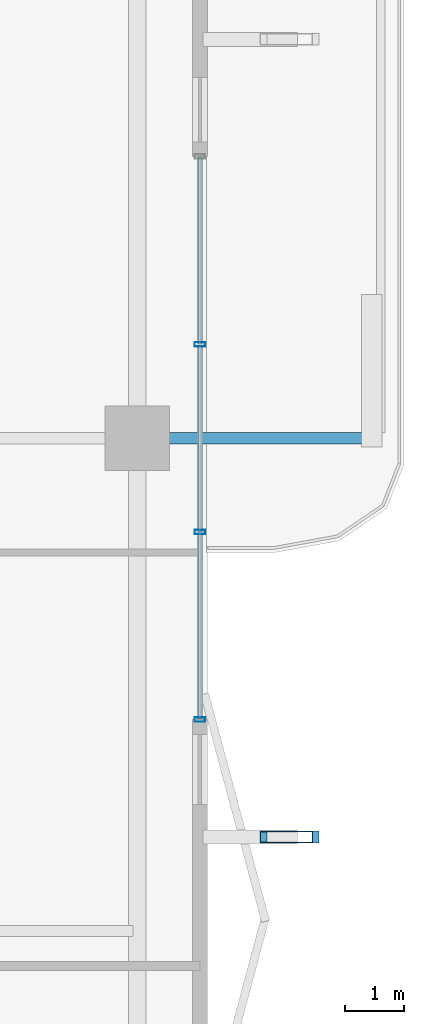
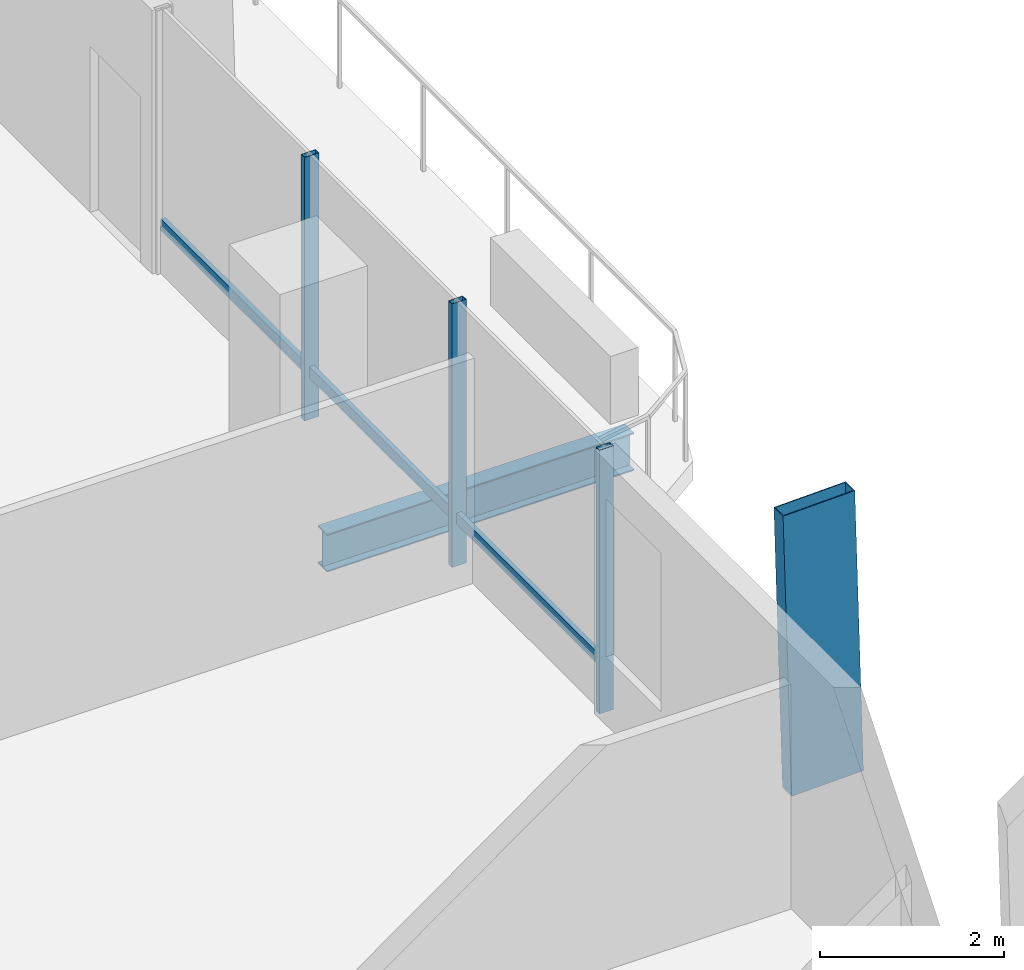
# One storey, part 10 of 25: 7 members, 1 beam, 1 element without a shape of its own.
"""IFC4 building model written with IfcOpenShell, lengths in metres."""

from ifc_helpers import new_model, si_unit, direction, frame, origin, origin_2d, place, context, subcontext, project, spatial, hollow_rectangle, i_section, extrude, material, layer, layer_set, material_profile, profile_set, type_object, element, aggregate, save


model = new_model("IFC4")

# Units and contexts
model_context = context("Model", 3, precision=1e-05, world=origin(), true_north=direction((0.0, 1.0)))
body_context = subcontext(model_context, "Body", "Model", "MODEL_VIEW")
ifc_project = project(units=[si_unit("LENGTHUNIT", "METRE"), si_unit("AREAUNIT", "SQUARE_METRE"), si_unit("VOLUMEUNIT", "CUBIC_METRE"), si_unit("PLANEANGLEUNIT", "RADIAN"), si_unit("MASSUNIT", "GRAM", prefix="KILO")], contexts=[model_context])

# Site, building, storey
site_placement = place(None, origin())
site = spatial("IfcSite", under=ifc_project, at=site_placement, CompositionType="ELEMENT")
building_placement = place(site_placement, origin())
building = spatial("IfcBuilding", under=site, at=building_placement, Name="Belovzor Exchange Tower", CompositionType="ELEMENT")
storey_placement = place(building_placement, frame((0.0, 0.0, 153.300048828125)))
storey = spatial("IfcBuildingStorey", under=building, at=storey_placement, Name="L37", CompositionType="ELEMENT", Elevation=153.300048828125)

# Beam
ifc_material_1 = material(Name="Steel S355", Category="steel")
ifc_material_profile_1 = material_profile(ifc_material_1, i_section(OverallWidth=0.199951171875, OverallDepth=0.5, WebThickness=0.01025390625, FlangeThickness=0.01611328125, at=origin_2d()))
ifc_profile_set_1 = profile_set([ifc_material_profile_1], Name="Steel S355")
beam_type = type_object("IfcBeamType", Name="Planted Balcony Cantilever Beam IPE 500", PredefinedType="BEAM", material=ifc_profile_set_1)
beam_placement = place(storey_placement, frame((52.202880859375, 28.800048828125, -0.505126953125), z_axis=(1.0, 0.0, 0.0), x_axis=(0.0, 1.0, 0.0)))
element("IfcBeam", 1, at=beam_placement, inside=storey, type_object=beam_type, Name="BC-500 Planted Balcony Cantilever Beam IPE 500", PredefinedType="BEAM", context=body_context, shape_type="SweptSolid", body=[
    extrude(i_section(OverallWidth=0.199951171875, OverallDepth=0.5, WebThickness=0.01025390625, FlangeThickness=0.01611328125, at=origin_2d()), origin(), (0.0, 0.0, 1.0), 3.85009765625),
])

# Member
ifc_material_2 = material(Name="Extruded Architectural Terracotta on Steel S355 Carrier", Category="masonry")
ifc_material_profile_2 = material_profile(ifc_material_2, hollow_rectangle(XDim=0.199951171875, YDim=0.89990234375, WallThickness=0.011962890625, at=origin_2d()))
ifc_profile_set_2 = profile_set([ifc_material_profile_2], Name="Extruded Architectural Terracotta on Steel S355 Carrier")
member_type_1 = type_object("IfcMemberType", Name="Sweeping Terracotta Baguette Fin Assembly 1250", PredefinedType="USERDEFINED", material=ifc_profile_set_2)
member_1_placement = place(storey_placement, frame((54.551025390625, 22.0, -0.255126953125), z_axis=(-0.028764134908, 0.0, 0.999586226667), x_axis=(0.0, -1.0, 0.0)))
element("IfcMember", 2, at=member_1_placement, inside=storey, type_object=member_type_1, Name="FIN-TC125 Terracotta Facade Fin L37 E2", ObjectType="FIN", PredefinedType="USERDEFINED", context=body_context, shape_type="SweptSolid", body=[
    extrude(hollow_rectangle(XDim=0.199951171875, YDim=0.89990234375, WallThickness=0.011962890625, at=origin_2d()), origin(), (0.0, 0.0, 1.0), 3.75146484375),
])

# Curtain wall, members
ifc_material_3 = material(Name="Anodised Aluminium Framing", Category="aluminium")
ifc_layer = layer(ifc_material_3, 0.179931640625)
ifc_layer_set = layer_set([ifc_layer], Name="Anodised Aluminium Framing")
curtain_wall_type = type_object("IfcCurtainWallType", Name="Recessed Loggia Low-Iron Triple-Glazed Curtain Wall", PredefinedType="NOTDEFINED", material=ifc_layer_set)
curtain_wall_placement = place(storey_placement, origin())
curtain_wall = element("IfcCurtainWall", 3, at=curtain_wall_placement, inside=storey, type_object=curtain_wall_type, Name="CW3 Recessed Loggia Low-Iron Triple-Glazed Curtain Wall L37", PredefinedType="NOTDEFINED")
ifc_material_4 = material(Name="Steel S355", Category="steel")
ifc_material_profile_3 = material_profile(ifc_material_4, hollow_rectangle(XDim=0.074951171875, YDim=0.179931640625, WallThickness=0.0048828125, at=origin_2d()))
ifc_profile_set_3 = profile_set([ifc_material_profile_3], Name="Steel S355")
member_type_2 = type_object("IfcMemberType", Name="Thermally Broken Curtain Wall Mullion 180x75", PredefinedType="MULLION", material=ifc_profile_set_3)
member_2_placement = place(storey_placement, frame((52.969970703125, 30.39990234375, 0.0), z_axis=(0.0, 0.0, 1.0), x_axis=(0.0, -1.0, 0.0)))
member_2 = element("IfcMember", 4, at=member_2_placement, type_object=member_type_2, Name="CW-M180 Curtain Wall Mullion 2", PredefinedType="MULLION", context=body_context, shape_type="SweptSolid", body=[
    extrude(hollow_rectangle(XDim=0.074951171875, YDim=0.179931640625, WallThickness=0.0048828125, at=origin_2d()), origin(), (0.0, 0.0, 1.0), 3.494873046875),
])
member_3_placement = place(storey_placement, frame((52.969970703125, 27.199951171875, 0.0), z_axis=(0.0, 0.0, 1.0), x_axis=(0.0, -1.0, 0.0)))
member_3 = element("IfcMember", 5, at=member_3_placement, type_object=member_type_2, Name="CW-M180 Curtain Wall Mullion 3", PredefinedType="MULLION", context=body_context, shape_type="SweptSolid", body=[
    extrude(hollow_rectangle(XDim=0.074951171875, YDim=0.179931640625, WallThickness=0.0048828125, at=origin_2d()), origin(), (0.0, 0.0, 1.0), 3.494873046875),
])
member_4_placement = place(storey_placement, frame((52.969970703125, 24.0, 0.0), z_axis=(0.0, 0.0, 1.0), x_axis=(0.0, -1.0, 0.0)))
member_4 = element("IfcMember", 6, at=member_4_placement, type_object=member_type_2, Name="CW-M180 Curtain Wall Mullion 4", PredefinedType="MULLION", context=body_context, shape_type="SweptSolid", body=[
    extrude(hollow_rectangle(XDim=0.074951171875, YDim=0.179931640625, WallThickness=0.0048828125, at=origin_2d()), origin(), (0.0, 0.0, 1.0), 3.494873046875),
])
ifc_material_5 = material(Name="Steel S355", Category="steel")
ifc_material_profile_4 = material_profile(ifc_material_5, hollow_rectangle(XDim=0.06005859375, YDim=0.14990234375, WallThickness=0.00390625, at=origin_2d()))
ifc_profile_set_4 = profile_set([ifc_material_profile_4], Name="Steel S355")
member_type_3 = type_object("IfcMemberType", Name="Thermally Broken Curtain Wall Transom 150x60", PredefinedType="USERDEFINED", material=ifc_profile_set_4)
member_5_placement = place(storey_placement, frame((52.969970703125, 33.592041015625, 0.62890625), z_axis=(0.0, -1.0, 0.0), x_axis=(1.0, 0.0, 0.0)))
member_5 = element("IfcMember", 7, at=member_5_placement, type_object=member_type_3, Name="CW-T150 Curtain Wall Transom 1", ObjectType="TRANSOM", PredefinedType="USERDEFINED", context=body_context, shape_type="SweptSolid", body=[
    extrude(hollow_rectangle(XDim=0.06005859375, YDim=0.14990234375, WallThickness=0.00390625, at=origin_2d()), origin(), (0.0, 0.0, 1.0), 3.18408203125),
])
member_6_placement = place(storey_placement, frame((52.969970703125, 30.39208984375, 0.62890625), z_axis=(0.0, -1.0, 0.0), x_axis=(1.0, 0.0, 0.0)))
member_6 = element("IfcMember", 8, at=member_6_placement, type_object=member_type_3, Name="CW-T150 Curtain Wall Transom 2", ObjectType="TRANSOM", PredefinedType="USERDEFINED", context=body_context, shape_type="SweptSolid", body=[
    extrude(hollow_rectangle(XDim=0.06005859375, YDim=0.14990234375, WallThickness=0.00390625, at=origin_2d()), origin(), (0.0, 0.0, 1.0), 3.18408203125),
])
member_7_placement = place(storey_placement, frame((52.969970703125, 27.19189453125, 0.62890625), z_axis=(0.0, -1.0, 0.0), x_axis=(1.0, 0.0, 0.0)))
member_7 = element("IfcMember", 9, at=member_7_placement, type_object=member_type_3, Name="CW-T150 Curtain Wall Transom 3", ObjectType="TRANSOM", PredefinedType="USERDEFINED", context=body_context, shape_type="SweptSolid", body=[
    extrude(hollow_rectangle(XDim=0.06005859375, YDim=0.14990234375, WallThickness=0.00390625, at=origin_2d()), origin(), (0.0, 0.0, 1.0), 3.183837890625),
])
aggregate(curtain_wall, [member_2, member_3, member_4, member_5, member_6, member_7])

save(model, "model.ifc")
